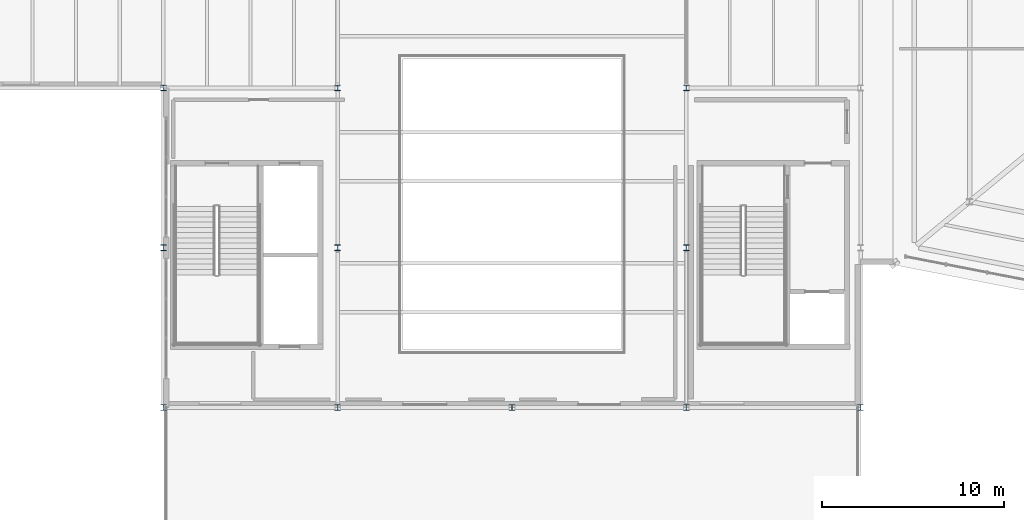
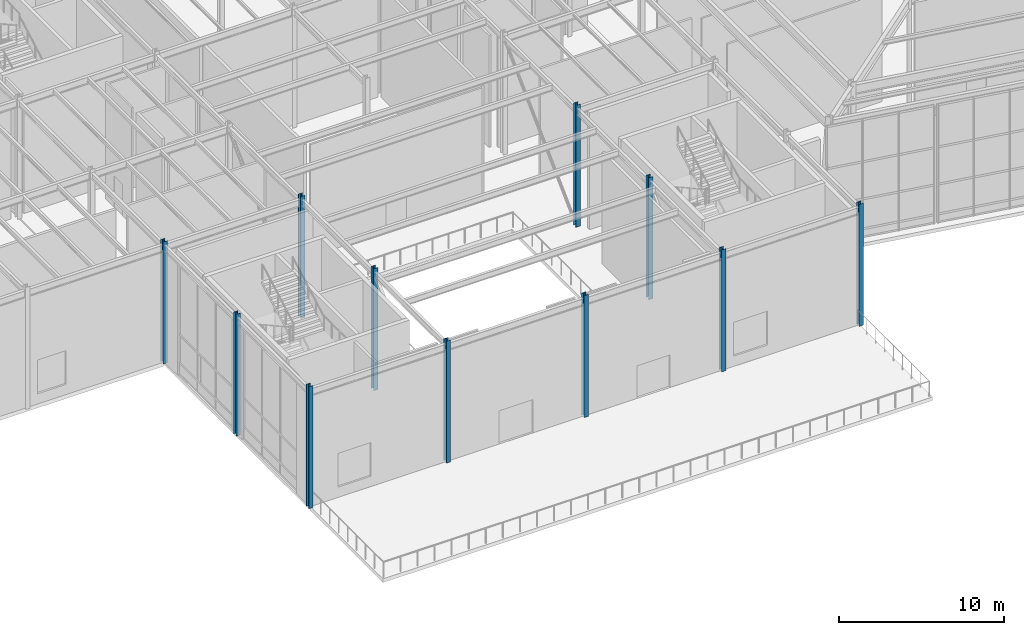
# One storey, part 2 of 48: 11 columns.
"""IFC4 building model written with IfcOpenShell, lengths in metres."""

from ifc_helpers import new_model, si_unit, direction, frame, origin, origin_2d, place, context, subcontext, project, spatial, i_section, extrude, material, material_profile, profile_set, type_object, element, save


model = new_model("IFC4")

# Units and contexts
model_context = context("Model", 3, precision=1e-05, world=origin(), true_north=direction((0.0, 1.0)))
body_context = subcontext(model_context, "Body", "Model", "MODEL_VIEW")
ifc_project = project(units=[si_unit("LENGTHUNIT", "METRE"), si_unit("AREAUNIT", "SQUARE_METRE"), si_unit("VOLUMEUNIT", "CUBIC_METRE"), si_unit("PLANEANGLEUNIT", "RADIAN"), si_unit("MASSUNIT", "GRAM", prefix="KILO")], contexts=[model_context])

# Site, building, storey
site_placement = place(None, origin())
site = spatial("IfcSite", under=ifc_project, at=site_placement, CompositionType="ELEMENT")
building_placement = place(site_placement, origin())
building = spatial("IfcBuilding", under=site, at=building_placement, Name="Sarnbrook Museum", CompositionType="ELEMENT")
storey_placement = place(building_placement, frame((0.0, 0.0, 19.10009765625)))
storey = spatial("IfcBuildingStorey", under=building, at=storey_placement, Name="L04", CompositionType="ELEMENT", Elevation=19.10009765625)

# Columns
ifc_material = material(Name="Structural Steel Grade 300PLUS (AS/NZS 3679.1, fy = 280 MPa for 17 < t <= 40 mm, 300 MPa for t <= 17 mm)", Category="steel")
ifc_material_profile = material_profile(ifc_material, i_section(OverallWidth=0.306884765625, OverallDepth=0.31494140625, WebThickness=0.011962890625, FlangeThickness=0.018798828125, FilletRadius=0.0166015625, at=origin_2d()), Name="310UC118")
ifc_profile_set = profile_set([ifc_material_profile], Name="Structural Steel Grade 300PLUS (AS/NZS 3679.1, fy = 280 MPa for 17 < t <= 40 mm, 300 MPa for t <= 17 mm)")
column_type = type_object("IfcColumnType", Name="COL-UC310", PredefinedType="COLUMN", material=ifc_profile_set)
for number, where, z_axis, x_axis, name in (
    (1, (90.39990234375, 56.800048828125, 0.0), (0.0, 0.0, 1.0), (1.0, 0.0, 0.0), "Column 10-G L04"),
    (2, (90.39990234375, 65.60009765625, 0.0), (0.0, 0.0, 1.0), (1.0, 0.0, 0.0), "Column 10-H L04"),
    (3, (90.39990234375, 74.39990234375, 0.0), (0.0, 0.0, 1.0), (1.0, 0.0, 0.0), "Column 10-J L04"),
    (4, (100.0, 56.800048828125, 0.0), (0.0, 0.0, 1.0), (1.0, 0.0, 0.0), "Column 11-G L04"),
    (5, (109.60009765625, 56.800048828125, 0.0), (0.0, 0.0, 1.0), (1.0, 0.0, 0.0), "Column 12-G L04"),
    (6, (109.60009765625, 65.60009765625, 0.0), (0.0, 0.0, 1.0), (1.0, 0.0, 0.0), "Column 12-H L04"),
    (7, (109.60009765625, 74.39990234375, 0.0), (0.0, 0.0, 1.0), (1.0, 0.0, 0.0), "Column 12-J L04"),
    (8, (119.199951171875, 56.800048828125, 0.0), (0.0, 0.0, 1.0), (1.0, 0.0, 0.0), "Column 13-G L04"),
    (9, (80.800048828125, 56.800048828125, 0.0), (0.0, 0.0, 1.0), (1.0, 0.0, 0.0), "Column 9-G L04"),
    (10, (80.800048828125, 65.60009765625, 0.0), (0.0, 0.0, 1.0), (1.0, 0.0, 0.0), "Column 9-H L04"),
    (11, (80.800048828125, 74.39990234375, 0.0), (0.0, 0.0, 1.0), (1.0, 0.0, 0.0), "Column 9-J L04"),
):
    element("IfcColumn", number, at=place(storey_placement, frame(where, z_axis=z_axis, x_axis=x_axis)), inside=storey, type_object=column_type, Name=name, PredefinedType="COLUMN", context=body_context, shape_type="SweptSolid", body=[
        extrude(i_section(OverallWidth=0.306884765625, OverallDepth=0.31494140625, WebThickness=0.011962890625, FlangeThickness=0.018798828125, FilletRadius=0.0166015625, at=origin_2d()), origin(), (0.0, 0.0, 1.0), 9.0),
    ])

save(model, "model.ifc")
